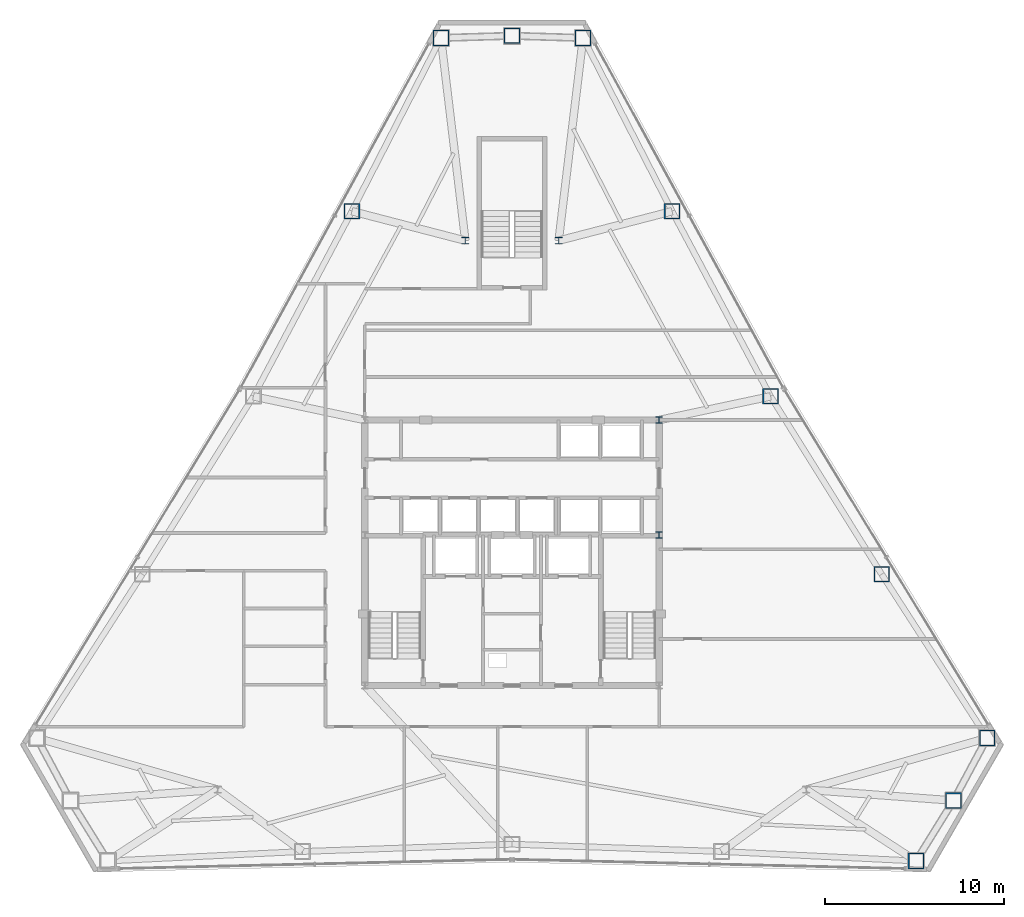
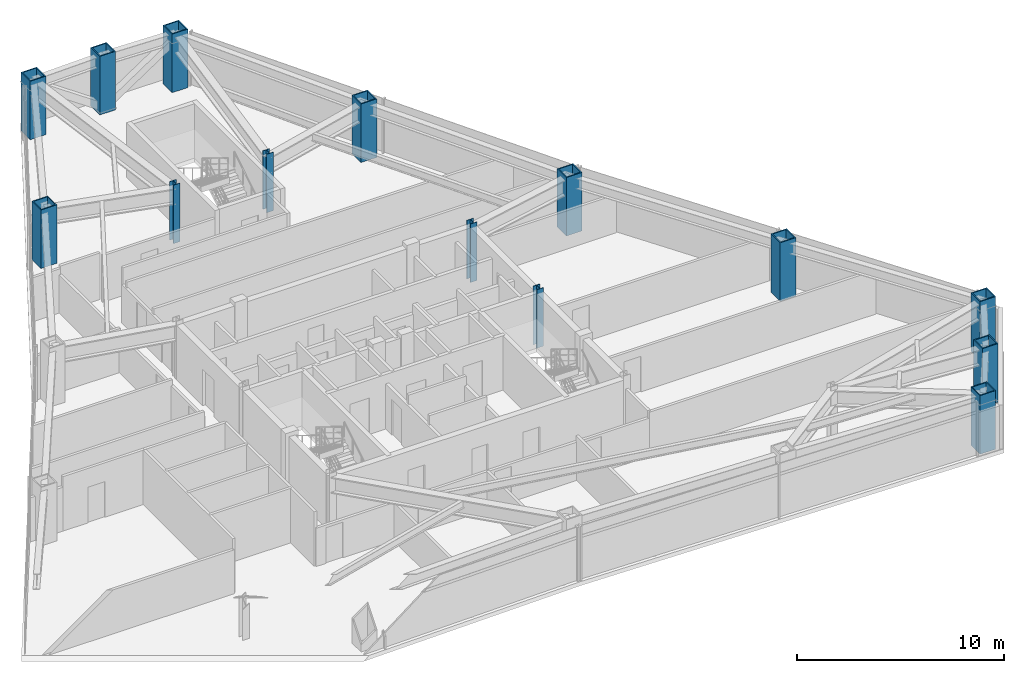
# One storey, part 2 of 11: 14 columns.
"""IFC4 building model written with IfcOpenShell, lengths in metres."""

from ifc_helpers import new_model, si_unit, direction, frame, origin, origin_2d, place, context, subcontext, project, spatial, hollow_rectangle, i_section, extrude, material, material_profile, profile_set, type_object, element, save


model = new_model("IFC4")

# Units and contexts
model_context = context("Model", 3, precision=1e-05, world=origin(), true_north=direction((0.0, 1.0)))
body_context = subcontext(model_context, "Body", "Model", "MODEL_VIEW")
ifc_project = project(units=[si_unit("LENGTHUNIT", "METRE"), si_unit("AREAUNIT", "SQUARE_METRE"), si_unit("VOLUMEUNIT", "CUBIC_METRE"), si_unit("PLANEANGLEUNIT", "RADIAN"), si_unit("MASSUNIT", "GRAM", prefix="KILO")], contexts=[model_context])

# Site, building, storey
site_placement = place(None, origin())
site = spatial("IfcSite", under=ifc_project, at=site_placement, CompositionType="ELEMENT")
building_placement = place(site_placement, origin())
building = spatial("IfcBuilding", under=site, at=building_placement, Name="Varakhsha Concourse Tower", CompositionType="ELEMENT")
storey_placement = place(building_placement, frame((0.0, 0.0, 150.5)))
storey = spatial("IfcBuildingStorey", under=building, at=storey_placement, Name="L43", CompositionType="ELEMENT", Elevation=150.5)

# Columns
ifc_material_1 = material(Name="Structural Steel ASTM A992 Grade 50", Category="steel")
ifc_material_profile_1 = material_profile(ifc_material_1, i_section(OverallWidth=0.3740234375, OverallDepth=0.3720703125, WebThickness=0.01611328125, FlangeThickness=0.02587890625, at=origin_2d()), Name="W14X132")
ifc_profile_set_1 = profile_set([ifc_material_profile_1], Name="Structural Steel ASTM A992 Grade 50")
column_type_1 = type_object("IfcColumnType", Name="CL-CORE-W14X132", PredefinedType="COLUMN", material=ifc_profile_set_1)
for number, where, z_axis, x_axis, name in (
    (1, (48.199951171875, 24.800048828125, 0.0), (0.0, 0.0, 1.0), (1.0, 0.0, 0.0), "L43 Core Column CC-ME"),
    (2, (48.199951171875, 31.199951171875, 0.0), (0.0, 0.0, 1.0), (1.0, 0.0, 0.0), "L43 Core Column CC-NE"),
    (3, (37.39990234375, 41.199951171875, 0.0), (0.0, 0.0, 1.0), (1.0, 0.0, 0.0), "L43 Core Column NS-W"),
    (4, (42.60009765625, 41.199951171875, 0.0), (0.0, 0.0, 1.0), (1.0, 0.0, 0.0), "L43 Core Column NS-E"),
):
    element("IfcColumn", number, at=place(storey_placement, frame(where, z_axis=z_axis, x_axis=x_axis)), inside=storey, type_object=column_type_1, Name=name, PredefinedType="COLUMN", context=body_context, shape_type="SweptSolid", body=[
        extrude(i_section(OverallWidth=0.3740234375, OverallDepth=0.3720703125, WebThickness=0.01611328125, FlangeThickness=0.02587890625, at=origin_2d()), origin(), (0.0, 0.0, 1.0), 3.449951171875),
    ])
ifc_material_2 = material(Name="Structural Steel ASTM A572 Grade 50", Category="steel")
ifc_material_profile_2 = material_profile(ifc_material_2, hollow_rectangle(XDim=0.8798828125, YDim=0.8798828125, WallThickness=0.06005859375, at=origin_2d()), Name="BOX 880x880x60")
ifc_profile_set_2 = profile_set([ifc_material_profile_2], Name="Structural Steel ASTM A572 Grade 50")
column_type_2 = type_object("IfcColumnType", Name="CL-TUBE-880", PredefinedType="COLUMN", material=ifc_profile_set_2)
for number, where, z_axis, x_axis, name in (
    (5, (43.959716796875, 52.496337890625, 0.0), (0.0, 0.0, 1.0), (1.0, 0.0, 0.0), "L43 Framed-Tube Column TC01"),
    (6, (40.0, 52.61865234375, 0.0), (0.0, 0.0, 1.0), (1.0, 0.0, 0.0), "L43 Framed-Tube Column TC02"),
    (7, (36.040283203125, 52.496337890625, 0.0), (0.0, 0.0, 1.0), (1.0, 0.0, 0.0), "L43 Framed-Tube Column TC03"),
    (8, (31.077880859375, 42.8408203125, 0.0), (0.0, 0.0, 1.0), (1.0, 0.0, 0.0), "L43 Framed-Tube Column TC04"),
    (9, (62.525390625, 6.62255859375, 0.0), (0.0, 0.0, 1.0), (1.0, 0.0, 0.0), "L43 Framed-Tube Column TC13"),
    (10, (64.611083984375, 9.99072265625, 0.0), (0.0, 0.0, 1.0), (1.0, 0.0, 0.0), "L43 Framed-Tube Column TC14"),
    (11, (66.485107421875, 13.481201171875, 0.0), (0.0, 0.0, 1.0), (1.0, 0.0, 0.0), "L43 Framed-Tube Column TC15"),
    (12, (60.6044921875, 22.6064453125, 0.0), (0.0, 0.0, 1.0), (1.0, 0.0, 0.0), "L43 Framed-Tube Column TC16"),
    (13, (54.412353515625, 32.52099609375, 0.0), (0.0, 0.0, 1.0), (1.0, 0.0, 0.0), "L43 Framed-Tube Column TC17"),
    (14, (48.922119140625, 42.8408203125, 0.0), (0.0, 0.0, 1.0), (1.0, 0.0, 0.0), "L43 Framed-Tube Column TC18"),
):
    element("IfcColumn", number, at=place(storey_placement, frame(where, z_axis=z_axis, x_axis=x_axis)), inside=storey, type_object=column_type_2, Name=name, PredefinedType="COLUMN", context=body_context, shape_type="SweptSolid", body=[
        extrude(hollow_rectangle(XDim=0.8798828125, YDim=0.8798828125, WallThickness=0.06005859375, at=origin_2d()), origin(), (0.0, 0.0, 1.0), 3.449951171875),
    ])

save(model, "model.ifc")
